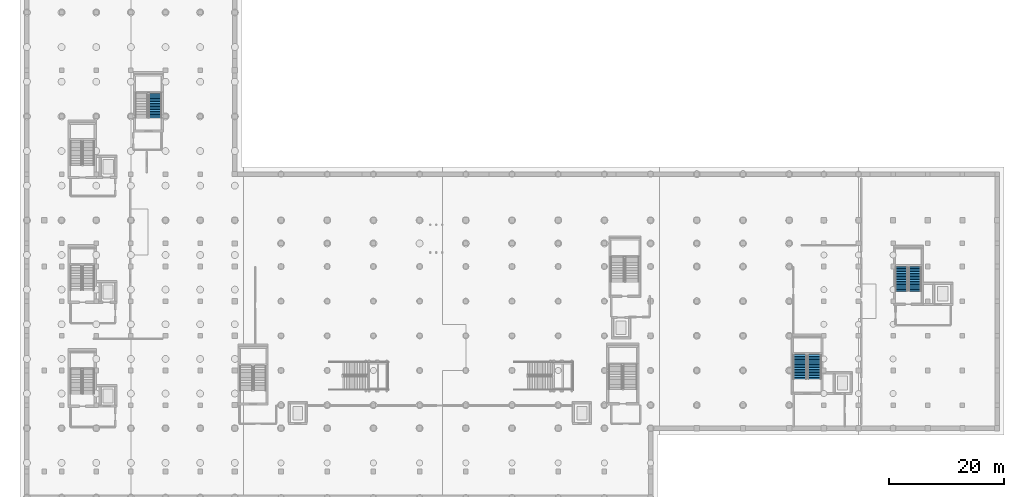
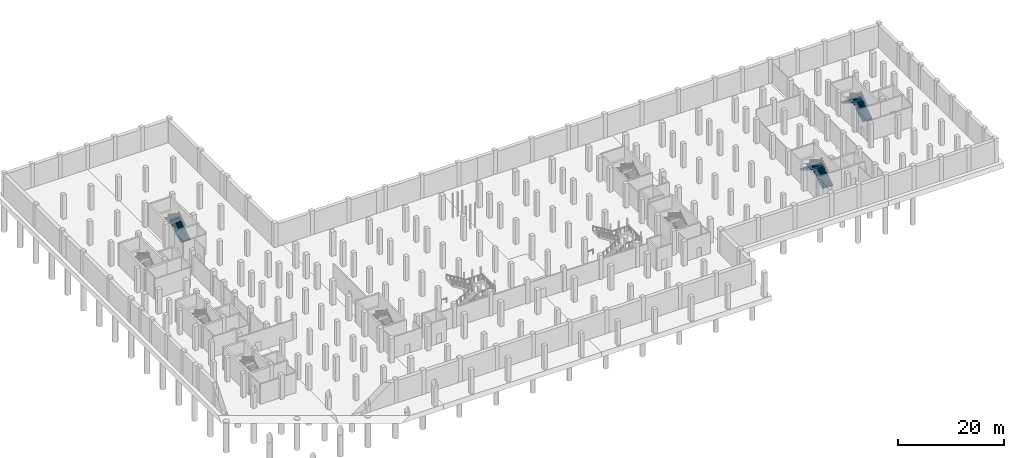
# One storey, part 19 of 26: 5 stair flights, 3 elements without a shape of their own.
"""IFC4 building model written with IfcOpenShell, lengths in metres."""

from ifc_helpers import new_model, si_unit, direction, frame, origin, place, context, subcontext, project, spatial, polyline, outline, extrude, material, type_object, element, aggregate, save


model = new_model("IFC4")

# Units and contexts
model_context = context("Model", 3, precision=1e-05, world=origin(), true_north=direction((0.0, 1.0)))
body_context = subcontext(model_context, "Body", "Model", "MODEL_VIEW")
ifc_project = project(units=[si_unit("LENGTHUNIT", "METRE"), si_unit("AREAUNIT", "SQUARE_METRE"), si_unit("VOLUMEUNIT", "CUBIC_METRE"), si_unit("PLANEANGLEUNIT", "RADIAN"), si_unit("MASSUNIT", "GRAM", prefix="KILO")], contexts=[model_context])

# Site, building, storey
site_placement = place(None, origin())
site = spatial("IfcSite", under=ifc_project, at=site_placement, CompositionType="ELEMENT")
building_placement = place(site_placement, origin())
building = spatial("IfcBuilding", under=site, at=building_placement, Name="Verrall Gate Interchange", CompositionType="ELEMENT")
storey_placement = place(building_placement, frame((0.0, 0.0, -10.39990234375)))
storey = spatial("IfcBuildingStorey", under=building, at=storey_placement, Name="B2", CompositionType="ELEMENT", Elevation=-10.39990234375)

# Stair, stair flight
ifc_material_1 = material(Name="Concrete CSA A23.1 40 MPa (Class N)", Category="concrete")
stair_type_1 = type_object("IfcStairType", Name="ST-T07 Straight-Flight Return Exit Stair W2150 H5600", PredefinedType="STRAIGHT_RUN_STAIR", material=ifc_material_1)
stair_1_placement = place(storey_placement, origin())
stair_1 = element("IfcStair", 1, at=stair_1_placement, inside=storey, type_object=stair_type_1, Name="B2 ST-04", PredefinedType="STRAIGHT_RUN_STAIR")
ifc_material_2 = material(Name="Concrete CSA A23.1 40 MPa (Class N)", Category="concrete")
stair_flight_type_1 = type_object("IfcStairFlightType", Name="SF-T07 Concrete Stair Flight W2150 R175 N32", PredefinedType="STRAIGHT", material=ifc_material_2)
stair_flight_1_placement = place(storey_placement, frame((22.22509765625, 65.75, 0.0), z_axis=(0.0, 0.0, 1.0), x_axis=(0.0, 1.0, 0.0)))
stair_flight_1 = element("IfcStairFlight", 2, at=stair_flight_1_placement, type_object=stair_flight_type_1, Name="ST-04 flight 1", NumberOfRisers=16, NumberOfTreads=15, PredefinedType="STRAIGHT", RiserHeight=0.175, TreadLength=0.28, context=body_context, shape_type="SweptSolid", body=[
    extrude(outline(polyline([(-0.034912109375, -0.02001953125), (-0.034912109375, 0.0), (0.0, 0.0), (0.0, 0.175048828125), (0.280029296875, 0.175048828125), (0.280029296875, 0.35009765625), (0.56005859375, 0.35009765625), (0.56005859375, 0.52490234375), (0.840087890625, 0.52490234375), (0.840087890625, 0.699951171875), (1.1201171875, 0.699951171875), (1.1201171875, 0.875), (1.39990234375, 0.875), (1.39990234375, 1.050048828125), (1.679931640625, 1.050048828125), (1.679931640625, 1.22509765625), (1.9599609375, 1.22509765625), (1.9599609375, 1.39990234375), (2.239990234375, 1.39990234375), (2.239990234375, 1.574951171875), (2.52001953125, 1.574951171875), (2.52001953125, 1.75), (2.800048828125, 1.75), (2.800048828125, 1.925048828125), (3.080078125, 1.925048828125), (3.080078125, 2.10009765625), (3.360107421875, 2.10009765625), (3.360107421875, 2.27490234375), (3.639892578125, 2.27490234375), (3.639892578125, 2.449951171875), (3.919921875, 2.449951171875), (3.919921875, 2.625), (4.199951171875, 2.625), (4.199951171875, 2.800048828125), (4.235107421875, 2.800048828125), (4.235107421875, 2.38916015625), (0.34521484375, -0.02001953125), (-0.034912109375, -0.02001953125)])), frame((0.0, 1.074951171875, 0.0), z_axis=(0.0, -1.0, 0.0), x_axis=(1.0, 0.0, 0.0)), (0.0, 0.0, 1.0), 2.14990234375),
])
aggregate(stair_1, [stair_flight_1])

# Stair, stair flights
stair_2_placement = place(storey_placement, origin())
stair_2 = element("IfcStair", 3, at=stair_2_placement, inside=storey, type_object=stair_type_1, Name="B2 ST-09", PredefinedType="STRAIGHT_RUN_STAIR")
stair_flight_2_placement = place(storey_placement, frame((153.824951171875, 35.75, 0.0), z_axis=(0.0, 0.0, 1.0), x_axis=(0.0, 1.0, 0.0)))
stair_flight_2 = element("IfcStairFlight", 4, at=stair_flight_2_placement, type_object=stair_flight_type_1, Name="ST-09 flight 1", NumberOfRisers=16, NumberOfTreads=15, PredefinedType="STRAIGHT", RiserHeight=0.175, TreadLength=0.28, context=body_context, shape_type="SweptSolid", body=[
    extrude(outline(polyline([(-0.034912109375, -0.02001953125), (-0.034912109375, 0.0), (0.0, 0.0), (0.0, 0.175048828125), (0.280029296875, 0.175048828125), (0.280029296875, 0.35009765625), (0.56005859375, 0.35009765625), (0.56005859375, 0.52490234375), (0.840087890625, 0.52490234375), (0.840087890625, 0.699951171875), (1.1201171875, 0.699951171875), (1.1201171875, 0.875), (1.39990234375, 0.875), (1.39990234375, 1.050048828125), (1.679931640625, 1.050048828125), (1.679931640625, 1.22509765625), (1.9599609375, 1.22509765625), (1.9599609375, 1.39990234375), (2.239990234375, 1.39990234375), (2.239990234375, 1.574951171875), (2.52001953125, 1.574951171875), (2.52001953125, 1.75), (2.800048828125, 1.75), (2.800048828125, 1.925048828125), (3.080078125, 1.925048828125), (3.080078125, 2.10009765625), (3.360107421875, 2.10009765625), (3.360107421875, 2.27490234375), (3.639892578125, 2.27490234375), (3.639892578125, 2.449951171875), (3.919921875, 2.449951171875), (3.919921875, 2.625), (4.199951171875, 2.625), (4.199951171875, 2.800048828125), (4.235107421875, 2.800048828125), (4.235107421875, 2.38916015625), (0.34521484375, -0.02001953125), (-0.034912109375, -0.02001953125)])), frame((0.0, 1.074951171875, 0.0), z_axis=(0.0, -1.0, 0.0), x_axis=(1.0, 0.0, 0.0)), (0.0, 0.0, 1.0), 2.14990234375),
])
stair_flight_3_placement = place(storey_placement, frame((151.47509765625, 39.949951171875, 2.7998046875), z_axis=(0.0, 0.0, 1.0), x_axis=(0.0, -1.0, 0.0)))
stair_flight_3 = element("IfcStairFlight", 5, at=stair_flight_3_placement, type_object=stair_flight_type_1, Name="ST-09 flight 2", NumberOfRisers=16, NumberOfTreads=15, PredefinedType="STRAIGHT", RiserHeight=0.175, TreadLength=0.28, context=body_context, shape_type="SweptSolid", body=[
    extrude(outline(polyline([(-0.034912109375, -0.02001953125), (-0.034912109375, 0.0), (0.0, 0.0), (0.0, 0.175048828125), (0.280029296875, 0.175048828125), (0.280029296875, 0.35009765625), (0.56005859375, 0.35009765625), (0.56005859375, 0.52490234375), (0.840087890625, 0.52490234375), (0.840087890625, 0.699951171875), (1.1201171875, 0.699951171875), (1.1201171875, 0.875), (1.39990234375, 0.875), (1.39990234375, 1.050048828125), (1.679931640625, 1.050048828125), (1.679931640625, 1.22509765625), (1.9599609375, 1.22509765625), (1.9599609375, 1.39990234375), (2.239990234375, 1.39990234375), (2.239990234375, 1.574951171875), (2.52001953125, 1.574951171875), (2.52001953125, 1.75), (2.800048828125, 1.75), (2.800048828125, 1.925048828125), (3.080078125, 1.925048828125), (3.080078125, 2.10009765625), (3.360107421875, 2.10009765625), (3.360107421875, 2.27490234375), (3.639892578125, 2.27490234375), (3.639892578125, 2.449951171875), (3.919921875, 2.449951171875), (3.919921875, 2.625), (4.199951171875, 2.625), (4.199951171875, 2.800048828125), (4.235107421875, 2.800048828125), (4.235107421875, 2.38916015625), (0.34521484375, -0.02001953125), (-0.034912109375, -0.02001953125)])), frame((0.0, 1.074951171875, 0.0), z_axis=(0.0, -1.0, 0.0), x_axis=(1.0, 0.0, 0.0)), (0.0, 0.0, 1.0), 2.14990234375),
])
aggregate(stair_2, [stair_flight_2, stair_flight_3])

ifc_material_3 = material(Name="Concrete CSA A23.1 40 MPa (Class N)", Category="concrete")
stair_type_2 = type_object("IfcStairType", Name="ST-T14 Straight-Flight Return Exit Stair W2330 H5600", PredefinedType="STRAIGHT_RUN_STAIR", material=ifc_material_3)
stair_3_placement = place(storey_placement, origin())
stair_3 = element("IfcStair", 6, at=stair_3_placement, inside=storey, type_object=stair_type_2, Name="B2 ST-08", PredefinedType="STRAIGHT_RUN_STAIR")
ifc_material_4 = material(Name="Concrete CSA A23.1 40 MPa (Class N)", Category="concrete")
stair_flight_type_2 = type_object("IfcStairFlightType", Name="SF-T14 Concrete Stair Flight W2330 R175 N32", PredefinedType="STRAIGHT", material=ifc_material_4)
stair_flight_4_placement = place(storey_placement, frame((136.375, 20.530029296875, 0.0), z_axis=(0.0, 0.0, 1.0), x_axis=(0.0, 1.0, 0.0)))
stair_flight_4 = element("IfcStairFlight", 7, at=stair_flight_4_placement, type_object=stair_flight_type_2, Name="ST-08 flight 1", NumberOfRisers=16, NumberOfTreads=15, PredefinedType="STRAIGHT", RiserHeight=0.175, TreadLength=0.28, context=body_context, shape_type="SweptSolid", body=[
    extrude(outline(polyline([(-0.034912109375, -0.02001953125), (-0.034912109375, 0.0), (0.0, 0.0), (0.0, 0.175048828125), (0.280029296875, 0.175048828125), (0.280029296875, 0.35009765625), (0.56005859375, 0.35009765625), (0.56005859375, 0.52490234375), (0.840087890625, 0.52490234375), (0.840087890625, 0.699951171875), (1.1201171875, 0.699951171875), (1.1201171875, 0.875), (1.39990234375, 0.875), (1.39990234375, 1.050048828125), (1.679931640625, 1.050048828125), (1.679931640625, 1.22509765625), (1.9599609375, 1.22509765625), (1.9599609375, 1.39990234375), (2.239990234375, 1.39990234375), (2.239990234375, 1.574951171875), (2.52001953125, 1.574951171875), (2.52001953125, 1.75), (2.800048828125, 1.75), (2.800048828125, 1.925048828125), (3.080078125, 1.925048828125), (3.080078125, 2.10009765625), (3.360107421875, 2.10009765625), (3.360107421875, 2.27490234375), (3.639892578125, 2.27490234375), (3.639892578125, 2.449951171875), (3.919921875, 2.449951171875), (3.919921875, 2.625), (4.199951171875, 2.625), (4.199951171875, 2.800048828125), (4.235107421875, 2.800048828125), (4.235107421875, 2.38916015625), (0.34521484375, -0.02001953125), (-0.034912109375, -0.02001953125)])), frame((0.0, 1.1650390625, 0.0), z_axis=(0.0, -1.0, 0.0), x_axis=(1.0, 0.0, 0.0)), (0.0, 0.0, 1.0), 2.330078125),
])
stair_flight_5_placement = place(storey_placement, frame((133.844970703125, 24.72998046875, 2.7998046875), z_axis=(0.0, 0.0, 1.0), x_axis=(0.0, -1.0, 0.0)))
stair_flight_5 = element("IfcStairFlight", 8, at=stair_flight_5_placement, type_object=stair_flight_type_2, Name="ST-08 flight 2", NumberOfRisers=16, NumberOfTreads=15, PredefinedType="STRAIGHT", RiserHeight=0.175, TreadLength=0.28, context=body_context, shape_type="SweptSolid", body=[
    extrude(outline(polyline([(-0.034912109375, -0.02001953125), (-0.034912109375, 0.0), (0.0, 0.0), (0.0, 0.175048828125), (0.280029296875, 0.175048828125), (0.280029296875, 0.35009765625), (0.56005859375, 0.35009765625), (0.56005859375, 0.52490234375), (0.840087890625, 0.52490234375), (0.840087890625, 0.699951171875), (1.1201171875, 0.699951171875), (1.1201171875, 0.875), (1.39990234375, 0.875), (1.39990234375, 1.050048828125), (1.679931640625, 1.050048828125), (1.679931640625, 1.22509765625), (1.9599609375, 1.22509765625), (1.9599609375, 1.39990234375), (2.239990234375, 1.39990234375), (2.239990234375, 1.574951171875), (2.52001953125, 1.574951171875), (2.52001953125, 1.75), (2.800048828125, 1.75), (2.800048828125, 1.925048828125), (3.080078125, 1.925048828125), (3.080078125, 2.10009765625), (3.360107421875, 2.10009765625), (3.360107421875, 2.27490234375), (3.639892578125, 2.27490234375), (3.639892578125, 2.449951171875), (3.919921875, 2.449951171875), (3.919921875, 2.625), (4.199951171875, 2.625), (4.199951171875, 2.800048828125), (4.235107421875, 2.800048828125), (4.235107421875, 2.38916015625), (0.34521484375, -0.02001953125), (-0.034912109375, -0.02001953125)])), frame((0.0, 1.1650390625, 0.0), z_axis=(0.0, -1.0, 0.0), x_axis=(1.0, 0.0, 0.0)), (0.0, 0.0, 1.0), 2.330078125),
])
aggregate(stair_3, [stair_flight_4, stair_flight_5])

save(model, "model.ifc")
